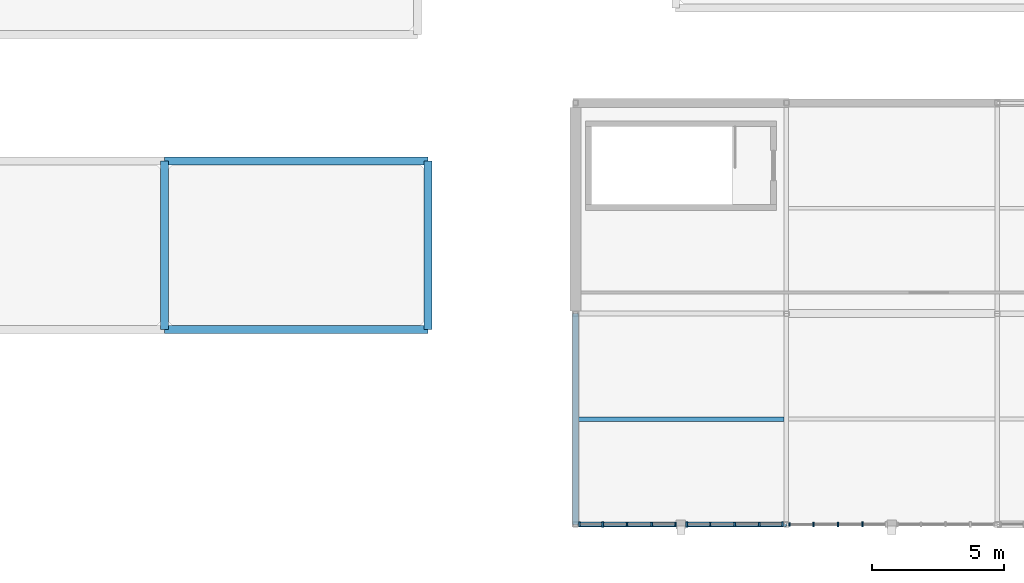
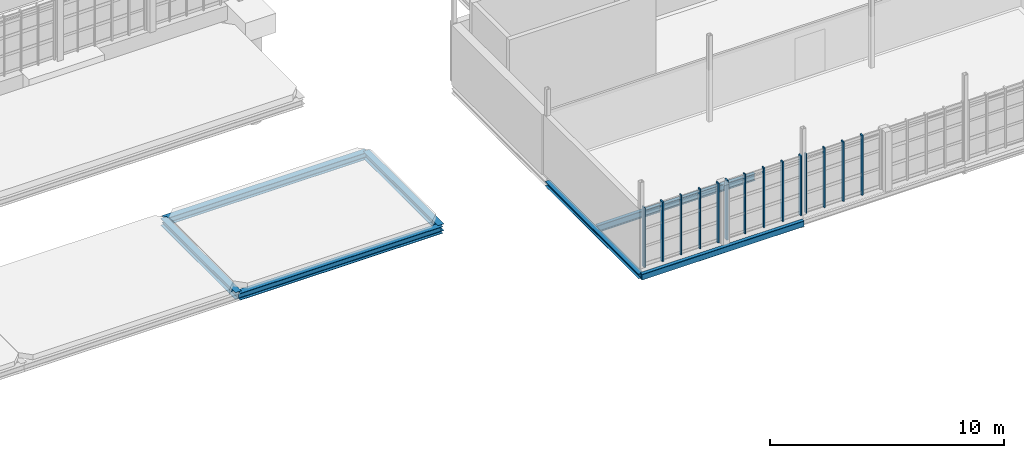
# One storey, part 35 of 125: 14 members, 7 beams, 3 elements without a shape of their own.
"""IFC4 building model written with IfcOpenShell, lengths in metres."""

from ifc_helpers import new_model, si_unit, direction, frame, origin, origin_2d, place, context, subcontext, project, spatial, rectangle, hollow_rectangle, i_section, extrude, material, material_profile, profile_set, type_object, element, aggregate, save


model = new_model("IFC4")

# Units and contexts
model_context = context("Model", 3, precision=1e-05, world=origin(), true_north=direction((0.0, 1.0)))
body_context = subcontext(model_context, "Body", "Model", "MODEL_VIEW")
ifc_project = project(units=[si_unit("LENGTHUNIT", "METRE"), si_unit("AREAUNIT", "SQUARE_METRE"), si_unit("VOLUMEUNIT", "CUBIC_METRE"), si_unit("PLANEANGLEUNIT", "RADIAN"), si_unit("MASSUNIT", "GRAM", prefix="KILO")], contexts=[model_context])

# Site, building, storey
site_placement = place(None, origin())
site = spatial("IfcSite", under=ifc_project, at=site_placement, CompositionType="ELEMENT")
building_placement = place(site_placement, origin())
building = spatial("IfcBuilding", under=site, at=building_placement, Name="Serraforn Aerial Cableway Station", CompositionType="ELEMENT")
storey_placement = place(building_placement, frame((0.0, 0.0, 4.5)))
storey = spatial("IfcBuildingStorey", under=building, at=storey_placement, Name="L01", CompositionType="ELEMENT", Elevation=4.5)

# Beams
ifc_material_1 = material(Name="Steel S355JR", Category="steel")
ifc_material_profile_1 = material_profile(ifc_material_1, i_section(OverallWidth=0.239990234375, OverallDepth=0.239990234375, WebThickness=0.007568359375, FlangeThickness=0.011962890625, FilletRadius=0.02099609375, at=origin_2d()), Name="HEA 240")
ifc_profile_set_1 = profile_set([ifc_material_profile_1], Name="Steel S355JR")
beam_type_1 = type_object("IfcBeamType", Name="BM-ST-HEA240", PredefinedType="BEAM", material=ifc_profile_set_1)
beam_1_placement = place(storey_placement, frame((144.0, 0.0, -0.43994140625), z_axis=(0.0, 1.0, 0.0), x_axis=(-1.0, 0.0, 0.0)))
element("IfcBeam", 1, at=beam_1_placement, inside=storey, type_object=beam_type_1, Name="Grid Girder Y ES L01 X1-1", PredefinedType="BEAM", context=body_context, shape_type="SweptSolid", body=[
    extrude(i_section(OverallWidth=0.239990234375, OverallDepth=0.239990234375, WebThickness=0.007568359375, FlangeThickness=0.011962890625, FilletRadius=0.02099609375, at=origin_2d()), origin(), (0.0, 0.0, 1.0), 8.0),
])
ifc_material_profile_2 = material_profile(ifc_material_1, i_section(OverallWidth=0.300048828125, OverallDepth=0.360107421875, WebThickness=0.010009765625, FlangeThickness=0.017578125, FilletRadius=0.027099609375, at=origin_2d()), Name="HEA 360")
ifc_profile_set_2 = profile_set([ifc_material_profile_2], Name="Steel S355JR")
beam_type_2 = type_object("IfcBeamType", Name="BM-ST-HEA360", PredefinedType="BEAM", material=ifc_profile_set_2)
for number, where, z_axis, x_axis, name in (
    (2, (128.39990234375, 7.39990234375, -0.47998046875), (1.0, 0.0, 0.0), (0.0, 1.0, 0.0), "Colonnade Spandrel Beam SX-4-1"),
    (3, (128.39990234375, 13.800048828125, -0.47998046875), (1.0, 0.0, 0.0), (0.0, 1.0, 0.0), "Colonnade Spandrel Beam SX-4-2"),
):
    element("IfcBeam", number, at=place(storey_placement, frame(where, z_axis=z_axis, x_axis=x_axis)), inside=storey, type_object=beam_type_2, Name=name, PredefinedType="BEAM", context=body_context, shape_type="SweptSolid", body=[
        extrude(i_section(OverallWidth=0.300048828125, OverallDepth=0.360107421875, WebThickness=0.010009765625, FlangeThickness=0.017578125, FilletRadius=0.027099609375, at=origin_2d()), origin(), (0.0, 0.0, 1.0), 10.0),
    ])
for number, where, z_axis, x_axis, name in (
    (4, (128.39990234375, 7.39990234375, -0.47998046875), (0.0, 1.0, 0.0), (-1.0, 0.0, 0.0), "Colonnade Cross Beam SY-4-1"),
    (5, (138.39990234375, 7.39990234375, -0.47998046875), (0.0, 1.0, 0.0), (-1.0, 0.0, 0.0), "Colonnade Cross Beam SY-5-1"),
):
    element("IfcBeam", number, at=place(storey_placement, frame(where, z_axis=z_axis, x_axis=x_axis)), inside=storey, type_object=beam_type_2, Name=name, PredefinedType="BEAM", context=body_context, shape_type="SweptSolid", body=[
        extrude(i_section(OverallWidth=0.300048828125, OverallDepth=0.360107421875, WebThickness=0.010009765625, FlangeThickness=0.017578125, FilletRadius=0.027099609375, at=origin_2d()), origin(), (0.0, 0.0, 1.0), 6.400146484375),
    ])
ifc_material_profile_3 = material_profile(ifc_material_1, i_section(OverallWidth=0.169921875, OverallDepth=0.360107421875, WebThickness=0.008056640625, FlangeThickness=0.0126953125, FilletRadius=0.01806640625, at=origin_2d()), Name="IPE 360")
ifc_profile_set_3 = profile_set([ifc_material_profile_3], Name="Steel S355JR")
beam_type_3 = type_object("IfcBeamType", Name="BM-ST-IPE360", PredefinedType="JOIST", material=ifc_profile_set_3)
beam_2_placement = place(storey_placement, frame((144.1201171875, 4.0, -0.43505859375), z_axis=(1.0, 0.0, 0.0), x_axis=(0.0, 1.0, 0.0)))
element("IfcBeam", 6, at=beam_2_placement, inside=storey, type_object=beam_type_3, Name="Floor Joist ES-L01-1-1-1", PredefinedType="JOIST", context=body_context, shape_type="SweptSolid", body=[
    extrude(i_section(OverallWidth=0.169921875, OverallDepth=0.360107421875, WebThickness=0.008056640625, FlangeThickness=0.0126953125, FilletRadius=0.01806640625, at=origin_2d()), origin(), (0.0, 0.0, 1.0), 7.789794921875),
])
ifc_material_2 = material(Name="Steel S355J2", Category="steel")
ifc_material_profile_4 = material_profile(ifc_material_2, hollow_rectangle(XDim=0.199951171875, YDim=0.300048828125, WallThickness=0.012451171875, InnerFilletRadius=0.012451171875, OuterFilletRadius=0.02490234375, at=origin_2d()), Name="RHS 300x200x12.5")
ifc_profile_set_4 = profile_set([ifc_material_profile_4], Name="Steel S355J2")
beam_type_4 = type_object("IfcBeamType", Name="BM-ST-RHS300", PredefinedType="SPANDREL", material=ifc_profile_set_4)
beam_3_placement = place(storey_placement, frame((144.0, 0.0, -0.469970703125), z_axis=(1.0, 0.0, 0.0), x_axis=(0.0, 1.0, 0.0)))
element("IfcBeam", 7, at=beam_3_placement, inside=storey, type_object=beam_type_4, Name="Grid Girder X ES L01 Y1-1", PredefinedType="SPANDREL", context=body_context, shape_type="SweptSolid", body=[
    extrude(hollow_rectangle(XDim=0.199951171875, YDim=0.300048828125, WallThickness=0.012451171875, InnerFilletRadius=0.012451171875, OuterFilletRadius=0.02490234375, at=origin_2d()), origin(), (0.0, 0.0, 1.0), 8.0),
])

# Curtain wall, member
ifc_material_3 = material(Name="Anodised bronze unitised curtain wall")
curtain_wall_type_1 = type_object("IfcCurtainWallType", Name="CW-SYS-3", PredefinedType="USERDEFINED", material=ifc_material_3)
curtain_wall_1_placement = place(storey_placement, origin())
curtain_wall_1 = element("IfcCurtainWall", 8, at=curtain_wall_1_placement, inside=storey, type_object=curtain_wall_type_1, Name="Unitised Curtain Wall CW-ES-L01-S1A", ObjectType="UNITISED CURTAIN WALL", PredefinedType="USERDEFINED")
ifc_material_4 = material(Name="Anodised bronze extruded aluminium", Category="aluminium")
ifc_material_profile_5 = material_profile(ifc_material_4, rectangle(XDim=0.054931640625, YDim=0.139892578125, at=origin_2d()), Name="CW MULLION 55x140")
ifc_profile_set_5 = profile_set([ifc_material_profile_5], Name="Anodised bronze extruded aluminium")
member_type_1 = type_object("IfcMemberType", Name="CW-MUL-1", PredefinedType="MULLION", material=ifc_profile_set_5)
member_1_placement = place(storey_placement, frame((145.958984375, 0.0, 0.0), z_axis=(0.0, 0.0, 1.0), x_axis=(1.0, 0.0, 0.0)))
member_1 = element("IfcMember", 9, at=member_1_placement, type_object=member_type_1, Name="Curtain Wall Mullion CW-ES-L01-S1A-M3", PredefinedType="MULLION", context=body_context, shape_type="SweptSolid", body=[
    extrude(rectangle(XDim=0.054931640625, YDim=0.139892578125, at=origin_2d()), origin(), (0.0, 0.0, 1.0), 3.1201171875),
])

curtain_wall_type_2 = type_object("IfcCurtainWallType", Name="CW-SYS-4", PredefinedType="USERDEFINED", material=ifc_material_3)
curtain_wall_2_placement = place(storey_placement, origin())
curtain_wall_2 = element("IfcCurtainWall", 10, at=curtain_wall_2_placement, inside=storey, type_object=curtain_wall_type_2, Name="Unitised Curtain Wall CW-ES-L01-S1B", ObjectType="UNITISED CURTAIN WALL", PredefinedType="USERDEFINED")
member_2_placement = place(storey_placement, frame((149.110595703125, 0.0, 0.0), z_axis=(0.0, 0.0, 1.0), x_axis=(1.0, 0.0, 0.0)))
member_2 = element("IfcMember", 11, at=member_2_placement, type_object=member_type_1, Name="Curtain Wall Mullion CW-ES-L01-S1B-M2", PredefinedType="MULLION", context=body_context, shape_type="SweptSolid", body=[
    extrude(rectangle(XDim=0.054931640625, YDim=0.139892578125, at=origin_2d()), origin(), (0.0, 0.0, 1.0), 3.1201171875),
])

curtain_wall_type_3 = type_object("IfcCurtainWallType", Name="CW-SYS-5", PredefinedType="USERDEFINED", material=ifc_material_3)
curtain_wall_3_placement = place(storey_placement, origin())
curtain_wall_3 = element("IfcCurtainWall", 12, at=curtain_wall_3_placement, inside=storey, type_object=curtain_wall_type_3, Name="Unitised Curtain Wall CW-ES-L01-S2A", ObjectType="UNITISED CURTAIN WALL", PredefinedType="USERDEFINED")
member_3_placement = place(storey_placement, frame((152.12548828125, 0.0, 0.0), z_axis=(0.0, 0.0, 1.0), x_axis=(1.0, 0.0, 0.0)))
member_3 = element("IfcMember", 13, at=member_3_placement, type_object=member_type_1, Name="Curtain Wall Mullion CW-ES-L01-S2A-M1", PredefinedType="MULLION", context=body_context, shape_type="SweptSolid", body=[
    extrude(rectangle(XDim=0.054931640625, YDim=0.139892578125, at=origin_2d()), origin(), (0.0, 0.0, 1.0), 3.1201171875),
])

# Member
ifc_material_profile_6 = material_profile(ifc_material_4, rectangle(XDim=0.06005859375, YDim=0.159912109375, at=origin_2d()), Name="CW MULLION 60x160")
ifc_profile_set_6 = profile_set([ifc_material_profile_6], Name="Anodised bronze extruded aluminium")
member_type_2 = type_object("IfcMemberType", Name="CW-MUL-2", PredefinedType="MULLION", material=ifc_profile_set_6)
member_4_placement = place(storey_placement, frame((146.889404296875, 0.0, 0.0), z_axis=(0.0, 0.0, 1.0), x_axis=(1.0, 0.0, 0.0)))
member_4 = element("IfcMember", 14, at=member_4_placement, type_object=member_type_2, Name="Curtain Wall Mullion CW-ES-L01-S1A-M4", PredefinedType="MULLION", context=body_context, shape_type="SweptSolid", body=[
    extrude(rectangle(XDim=0.06005859375, YDim=0.159912109375, at=origin_2d()), origin(), (0.0, 0.0, 1.0), 3.1201171875),
])

member_5_placement = place(storey_placement, frame((150.041015625, 0.0, 0.0), z_axis=(0.0, 0.0, 1.0), x_axis=(1.0, 0.0, 0.0)))
member_5 = element("IfcMember", 15, at=member_5_placement, type_object=member_type_2, Name="Curtain Wall Mullion CW-ES-L01-S1B-M3", PredefinedType="MULLION", context=body_context, shape_type="SweptSolid", body=[
    extrude(rectangle(XDim=0.06005859375, YDim=0.159912109375, at=origin_2d()), origin(), (0.0, 0.0, 1.0), 3.1201171875),
])

member_6_placement = place(storey_placement, frame((153.028564453125, 0.0, 0.0), z_axis=(0.0, 0.0, 1.0), x_axis=(1.0, 0.0, 0.0)))
member_6 = element("IfcMember", 16, at=member_6_placement, type_object=member_type_2, Name="Curtain Wall Mullion CW-ES-L01-S2A-M2", PredefinedType="MULLION", context=body_context, shape_type="SweptSolid", body=[
    extrude(rectangle(XDim=0.06005859375, YDim=0.159912109375, at=origin_2d()), origin(), (0.0, 0.0, 1.0), 3.1201171875),
])

ifc_material_profile_7 = material_profile(ifc_material_4, rectangle(XDim=0.06494140625, YDim=0.175048828125, at=origin_2d()), Name="CW MULLION 65x175")
ifc_profile_set_7 = profile_set([ifc_material_profile_7], Name="Anodised bronze extruded aluminium")
member_type_3 = type_object("IfcMemberType", Name="CW-MUL-3", PredefinedType="MULLION", material=ifc_profile_set_7)
member_7_placement = place(storey_placement, frame((147.78759765625, 0.0, 0.0), z_axis=(0.0, 0.0, 1.0), x_axis=(1.0, 0.0, 0.0)))
member_7 = element("IfcMember", 17, at=member_7_placement, type_object=member_type_3, Name="Curtain Wall Mullion CW-ES-L01-S1A-M5", PredefinedType="MULLION", context=body_context, shape_type="SweptSolid", body=[
    extrude(rectangle(XDim=0.06494140625, YDim=0.175048828125, at=origin_2d()), origin(), (0.0, 0.0, 1.0), 3.1201171875),
])

member_8_placement = place(storey_placement, frame((150.971435546875, 0.0, 0.0), z_axis=(0.0, 0.0, 1.0), x_axis=(1.0, 0.0, 0.0)))
member_8 = element("IfcMember", 18, at=member_8_placement, type_object=member_type_3, Name="Curtain Wall Mullion CW-ES-L01-S1B-M4", PredefinedType="MULLION", context=body_context, shape_type="SweptSolid", body=[
    extrude(rectangle(XDim=0.06494140625, YDim=0.175048828125, at=origin_2d()), origin(), (0.0, 0.0, 1.0), 3.1201171875),
])

member_9_placement = place(storey_placement, frame((153.958984375, 0.0, 0.0), z_axis=(0.0, 0.0, 1.0), x_axis=(1.0, 0.0, 0.0)))
member_9 = element("IfcMember", 19, at=member_9_placement, type_object=member_type_3, Name="Curtain Wall Mullion CW-ES-L01-S2A-M3", PredefinedType="MULLION", context=body_context, shape_type="SweptSolid", body=[
    extrude(rectangle(XDim=0.06494140625, YDim=0.175048828125, at=origin_2d()), origin(), (0.0, 0.0, 1.0), 3.1201171875),
])

ifc_material_profile_8 = material_profile(ifc_material_4, rectangle(XDim=0.070068359375, YDim=0.18994140625, at=origin_2d()), Name="CW MULLION 70x190")
ifc_profile_set_8 = profile_set([ifc_material_profile_8], Name="Anodised bronze extruded aluminium")
member_type_4 = type_object("IfcMemberType", Name="CW-MUL-4", PredefinedType="MULLION", material=ifc_profile_set_8)
member_10_placement = place(storey_placement, frame((144.133056640625, 0.0, 0.0), z_axis=(0.0, 0.0, 1.0), x_axis=(1.0, 0.0, 0.0)))
member_10 = element("IfcMember", 20, at=member_10_placement, type_object=member_type_4, Name="Curtain Wall Mullion CW-ES-L01-S1A-M1", PredefinedType="MULLION", context=body_context, shape_type="SweptSolid", body=[
    extrude(rectangle(XDim=0.070068359375, YDim=0.18994140625, at=origin_2d()), origin(), (0.0, 0.0, 1.0), 3.1201171875),
])

member_11_placement = place(storey_placement, frame((151.866943359375, 0.0, 0.0), z_axis=(0.0, 0.0, 1.0), x_axis=(1.0, 0.0, 0.0)))
member_11 = element("IfcMember", 21, at=member_11_placement, type_object=member_type_4, Name="Curtain Wall Mullion CW-ES-L01-S1B-M5", PredefinedType="MULLION", context=body_context, shape_type="SweptSolid", body=[
    extrude(rectangle(XDim=0.070068359375, YDim=0.18994140625, at=origin_2d()), origin(), (0.0, 0.0, 1.0), 3.1201171875),
])

member_12_placement = place(storey_placement, frame((154.889404296875, 0.0, 0.0), z_axis=(0.0, 0.0, 1.0), x_axis=(1.0, 0.0, 0.0)))
member_12 = element("IfcMember", 22, at=member_12_placement, type_object=member_type_4, Name="Curtain Wall Mullion CW-ES-L01-S2A-M4", PredefinedType="MULLION", context=body_context, shape_type="SweptSolid", body=[
    extrude(rectangle(XDim=0.070068359375, YDim=0.18994140625, at=origin_2d()), origin(), (0.0, 0.0, 1.0), 3.1201171875),
])

aggregate(curtain_wall_3, [member_3, member_6, member_9, member_12])

ifc_material_profile_9 = material_profile(ifc_material_4, rectangle(XDim=0.074951171875, YDim=0.199951171875, at=origin_2d()), Name="CW MULLION 75x200")
ifc_profile_set_9 = profile_set([ifc_material_profile_9], Name="Anodised bronze extruded aluminium")
member_type_5 = type_object("IfcMemberType", Name="CW-MUL-5", PredefinedType="MULLION", material=ifc_profile_set_9)
member_13_placement = place(storey_placement, frame((145.028564453125, 0.0, 0.0), z_axis=(0.0, 0.0, 1.0), x_axis=(1.0, 0.0, 0.0)))
member_13 = element("IfcMember", 23, at=member_13_placement, type_object=member_type_5, Name="Curtain Wall Mullion CW-ES-L01-S1A-M2", PredefinedType="MULLION", context=body_context, shape_type="SweptSolid", body=[
    extrude(rectangle(XDim=0.074951171875, YDim=0.199951171875, at=origin_2d()), origin(), (0.0, 0.0, 1.0), 3.1201171875),
])

aggregate(curtain_wall_1, [member_10, member_13, member_1, member_4, member_7])

member_14_placement = place(storey_placement, frame((148.217529296875, 0.0, 0.0), z_axis=(0.0, 0.0, 1.0), x_axis=(1.0, 0.0, 0.0)))
member_14 = element("IfcMember", 24, at=member_14_placement, type_object=member_type_5, Name="Curtain Wall Mullion CW-ES-L01-S1B-M1", PredefinedType="MULLION", context=body_context, shape_type="SweptSolid", body=[
    extrude(rectangle(XDim=0.074951171875, YDim=0.199951171875, at=origin_2d()), origin(), (0.0, 0.0, 1.0), 3.1201171875),
])

aggregate(curtain_wall_2, [member_14, member_2, member_5, member_8, member_11])

save(model, "model.ifc")
